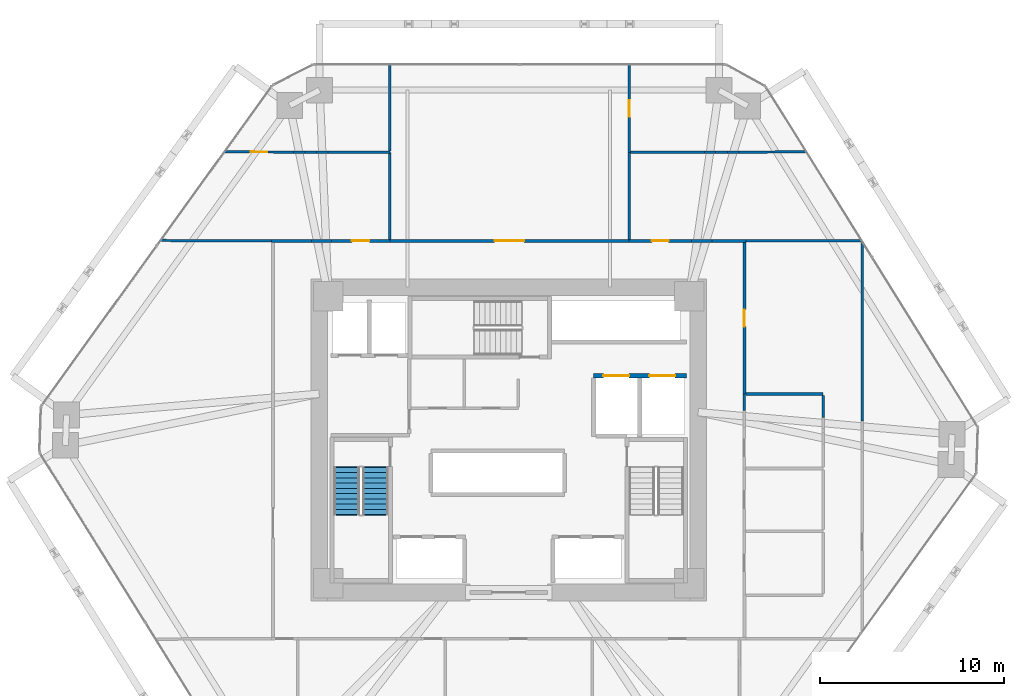
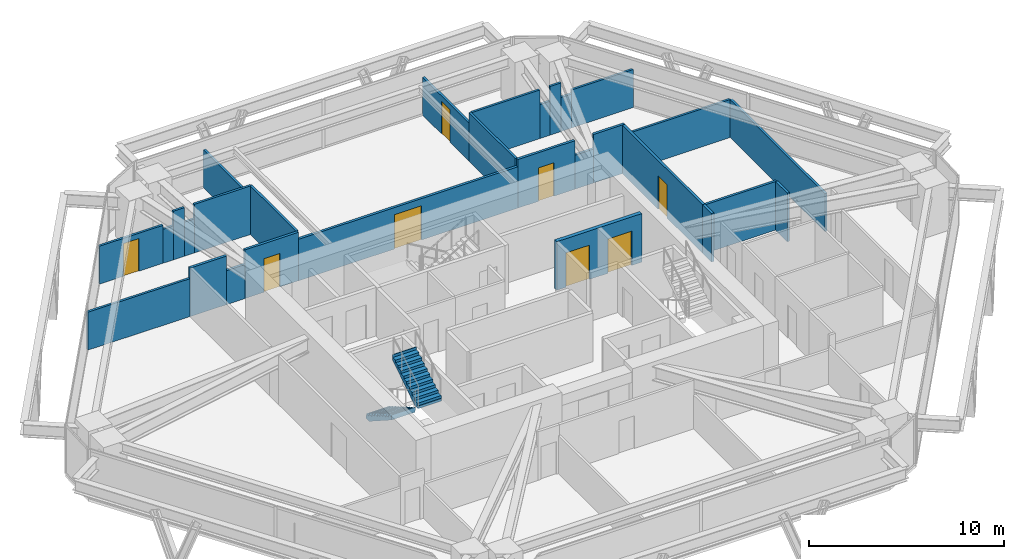
# One storey, part 13 of 15: 29 walls, 8 doors, 2 stair flights, 8 openings, 1 element without a shape of its own.
"""IFC4 building model written with IfcOpenShell, lengths in metres."""

from ifc_helpers import new_model, si_unit, direction, frame, frame_2d, origin, place, context, subcontext, project, spatial, polyline, rectangle, outline, extrude, source, transform, mapped, material, layer, layer_set, type_object, type_shapes, element, fill, aggregate, save


model = new_model("IFC4")

# Units and contexts
model_context = context("Model", 3, precision=1e-05, world=origin(), true_north=direction((0.0, 1.0)))
body_context = subcontext(model_context, "Body", "Model", "MODEL_VIEW")
ifc_project = project(units=[si_unit("LENGTHUNIT", "METRE"), si_unit("AREAUNIT", "SQUARE_METRE"), si_unit("VOLUMEUNIT", "CUBIC_METRE"), si_unit("PLANEANGLEUNIT", "RADIAN"), si_unit("MASSUNIT", "GRAM", prefix="KILO")], contexts=[model_context])

# Site, building, storey
site_placement = place(None, origin())
site = spatial("IfcSite", under=ifc_project, at=site_placement, CompositionType="ELEMENT")
building_placement = place(site_placement, origin())
building = spatial("IfcBuilding", under=site, at=building_placement, Name="Durnholm Broadcast Tower", CompositionType="ELEMENT")
storey_placement = place(building_placement, frame((0.0, 0.0, 62.10009765625)))
storey = spatial("IfcBuildingStorey", under=building, at=storey_placement, Name="L15", CompositionType="ELEMENT", Elevation=62.10009765625)

# Wall, opening, door
ifc_material_1 = material(Name="Gypsum Metal Stud Partition", Category="concrete")
ifc_layer_1 = layer(ifc_material_1, 0.135009765625)
ifc_layer_set_1 = layer_set([ifc_layer_1], Name="Gypsum Metal Stud Partition")
wall_type_1 = type_object("IfcWallType", Name="WALL-PART-135", PredefinedType="PARTITIONING", material=ifc_layer_set_1)
wall_1_placement = place(storey_placement, frame((-15.4501953125, 15.6484375, 0.0), z_axis=(0.0, 0.0, 1.0), x_axis=(0.999996606967, -0.002605005814, 0.0)))
wall_1 = element("IfcWall", 1, at=wall_1_placement, inside=storey, type_object=wall_type_1, Name="L15 room dividing partition 6.7", PredefinedType="PARTITIONING", context=body_context, shape_type="SweptSolid", body=[
    extrude(rectangle(XDim=3.748779296875, YDim=0.135009765625, at=frame_2d((1.87451171875, 0.0))), origin(), (0.0, 0.0, 1.0), 2.3798828125),
])
opening_1_placement = place(wall_1_placement, frame((1.424560546875, 0.0, 0.0)))
opening_1 = element("IfcOpeningElement", 2, at=opening_1_placement, cuts=wall_1, Name="Opening DW-90L", PredefinedType="OPENING", context=body_context, shape_type="SweptSolid", body=[
    extrude(rectangle(XDim=0.89990234375, YDim=2.050048828125, at=frame_2d((0.449951171875, 1.02490234375))), frame((0.0, 0.07763671875, 0.0), z_axis=(0.0, -1.0, 0.0), x_axis=(1.0, 0.0, 0.0)), (0.0, 0.0, 1.0), 0.155029296875),
])
ifc_material_2 = material(Name="Laminate Restroom Door", Category="steel")
ifc_layer_2 = layer(ifc_material_2, 0.050048828125)
ifc_layer_set_2 = layer_set([ifc_layer_2], Name="Laminate Restroom Door")
door_type_1 = type_object("IfcDoorType", Name="DOOR-WC-900L", OperationType="NOTDEFINED", PredefinedType="DOOR", material=ifc_layer_set_2)
shared_shape_1 = source(origin(), body_context, "Body", "SweptSolid", [
    extrude(rectangle(XDim=0.89990234375, YDim=2.050048828125, at=frame_2d((0.449951171875, 1.02490234375))), frame((0.0, 0.02490234375, 0.0), z_axis=(0.0, -1.0, 0.0), x_axis=(1.0, 0.0, 0.0)), (0.0, 0.0, 1.0), 0.050048828125),
])
type_shapes(door_type_1, [shared_shape_1])
door_1_placement = place(opening_1_placement, origin())
door_1 = element("IfcDoor", 3, at=door_1_placement, inside=storey, type_object=door_type_1, Name="L15 Open Plan Broadcast Workspace 3 connecting door", OperationType="SINGLE_SWING_LEFT", OverallHeight=2.050048828125, OverallWidth=0.89990234375, PredefinedType="DOOR", context=body_context, shape_type="MappedRepresentation", body=[
    mapped(shared_shape_1, transform((0.0, 0.0, 0.0), x_axis=(1.0, 0.0, 0.0), y_axis=(0.0, 1.0, 0.0), z_axis=(0.0, 0.0, 1.0), scale=1.0)),
])
fill(opening_1, door_1)

# Walls
wall_2_placement = place(storey_placement, frame((-11.084716796875, 15.636962890625, 0.0), z_axis=(0.0, 0.0, 1.0), x_axis=(0.999997419321, -0.002271860854, 0.0)))
element("IfcWall", 4, at=wall_2_placement, inside=storey, type_object=wall_type_1, Name="L15 room dividing partition 6.7", PredefinedType="PARTITIONING", context=body_context, shape_type="SweptSolid", body=[
    extrude(rectangle(XDim=0.644775390625, YDim=0.135009765625, at=frame_2d((0.322265625, 0.0))), origin(), (0.0, 0.0, 1.0), 3.044921875),
])
wall_3_placement = place(storey_placement, frame((-9.83544921875, 15.6337890625, 0.0), z_axis=(0.0, 0.0, 1.0), x_axis=(0.999996610156, -0.002603781135, 0.0)))
element("IfcWall", 5, at=wall_3_placement, inside=storey, type_object=wall_type_1, Name="L15 room dividing partition 6.7", PredefinedType="PARTITIONING", context=body_context, shape_type="SweptSolid", body=[
    extrude(rectangle(XDim=3.37548828125, YDim=0.135009765625, at=frame_2d((1.687744140625, 0.0))), origin(), (0.0, 0.0, 1.0), 3.044921875),
])
wall_4_placement = place(storey_placement, frame((-11.701416015625, 15.638671875, 0.0), z_axis=(0.0, 0.0, 1.0), x_axis=(0.999996160304, -0.00277116909, 0.0)))
element("IfcWall", 6, at=wall_4_placement, inside=storey, type_object=wall_type_1, Name="L15 room dividing partition 6.7", PredefinedType="PARTITIONING", context=body_context, shape_type="SweptSolid", body=[
    extrude(rectangle(XDim=0.61669921875, YDim=0.135009765625, at=frame_2d((0.308349609375, 0.0))), origin(), (0.0, 0.0, 1.0), 2.130126953125),
])
wall_5_placement = place(storey_placement, frame((-10.43994140625, 15.635498046875, 0.0), z_axis=(0.0, 0.0, 1.0), x_axis=(0.999996003662, -0.002827129251, 0.0)))
element("IfcWall", 7, at=wall_5_placement, inside=storey, type_object=wall_type_1, Name="L15 room dividing partition 6.7", PredefinedType="PARTITIONING", context=body_context, shape_type="SweptSolid", body=[
    extrude(rectangle(XDim=0.6044921875, YDim=0.135009765625, at=frame_2d((0.30224609375, 0.0))), origin(), (0.0, 0.0, 1.0), 2.130126953125),
])
wall_6_placement = place(storey_placement, frame((-6.4599609375, 15.625, 0.0), z_axis=(0.0, 0.0, 1.0), x_axis=(0.0, -1.0, 0.0)))
element("IfcWall", 8, at=wall_6_placement, inside=storey, type_object=wall_type_1, Name="L15 room dividing partition 6.8", PredefinedType="PARTITIONING", context=body_context, shape_type="SweptSolid", body=[
    extrude(rectangle(XDim=4.736083984375, YDim=0.135009765625, at=frame_2d((2.3681640625, 0.0))), origin(), (0.0, 0.0, 1.0), 3.044921875),
])
wall_7_placement = place(storey_placement, frame((-12.889892578125, 10.810302734375, 0.0), z_axis=(0.0, 0.0, 1.0), x_axis=(-0.999992607823, 0.003845035728, 0.0)))
element("IfcWall", 9, at=wall_7_placement, inside=storey, type_object=wall_type_1, Name="L15 room dividing partition 6.16", PredefinedType="PARTITIONING", context=body_context, shape_type="SweptSolid", body=[
    extrude(rectangle(XDim=6.031982421875, YDim=0.135009765625, at=frame_2d((3.01611328125, 0.0))), origin(), (0.0, 0.0, 1.0), 2.3798828125),
])
wall_8_placement = place(storey_placement, frame((-6.4599609375, 20.39990234375, 0.0), z_axis=(0.0, 0.0, 1.0), x_axis=(0.0, -1.0, 0.0)))
element("IfcWall", 10, at=wall_8_placement, inside=storey, type_object=wall_type_1, Name="L15 room dividing partition 7.8", PredefinedType="PARTITIONING", context=body_context, shape_type="SweptSolid", body=[
    extrude(rectangle(XDim=4.703369140625, YDim=0.135009765625, at=frame_2d((2.3515625, 0.0))), origin(), (0.0, 0.0, 1.0), 2.3798828125),
])
wall_9_placement = place(storey_placement, frame((6.5400390625, 15.625, 0.0), z_axis=(0.0, 0.0, 1.0), x_axis=(0.0, -1.0, 0.0)))
element("IfcWall", 11, at=wall_9_placement, inside=storey, type_object=wall_type_1, Name="L15 room dividing partition 8.9", PredefinedType="PARTITIONING", context=body_context, shape_type="SweptSolid", body=[
    extrude(rectangle(XDim=4.736083984375, YDim=0.135009765625, at=frame_2d((2.3681640625, 0.0))), origin(), (0.0, 0.0, 1.0), 3.044921875),
])

# Wall, opening, door
wall_10_placement = place(storey_placement, frame((6.5400390625, 20.39990234375, 0.0), z_axis=(0.0, 0.0, 1.0), x_axis=(0.0, -1.0, 0.0)))
wall_10 = element("IfcWall", 12, at=wall_10_placement, inside=storey, type_object=wall_type_1, Name="L15 room dividing partition 8.10", PredefinedType="PARTITIONING", context=body_context, shape_type="SweptSolid", body=[
    extrude(rectangle(XDim=4.77490234375, YDim=0.135009765625, at=frame_2d((2.387451171875, 0.0))), origin(), (0.0, 0.0, 1.0), 2.3798828125),
])
opening_2_placement = place(wall_10_placement, frame((1.9375, 0.0, 0.0)))
opening_2 = element("IfcOpeningElement", 13, at=opening_2_placement, cuts=wall_10, Name="Opening DW-90L", PredefinedType="OPENING", context=body_context, shape_type="SweptSolid", body=[
    extrude(rectangle(XDim=0.89990234375, YDim=2.050048828125, at=frame_2d((0.449951171875, 1.02490234375))), frame((0.0, 0.07763671875, 0.0), z_axis=(0.0, -1.0, 0.0), x_axis=(1.0, 0.0, 0.0)), (0.0, 0.0, 1.0), 0.155029296875),
])
door_2_placement = place(opening_2_placement, origin())
door_2 = element("IfcDoor", 14, at=door_2_placement, inside=storey, type_object=door_type_1, Name="L15 Broadcast Kitchen connecting door", OperationType="SINGLE_SWING_LEFT", OverallHeight=2.050048828125, OverallWidth=0.89990234375, PredefinedType="DOOR", context=body_context, shape_type="MappedRepresentation", body=[
    mapped(shared_shape_1, transform((0.0, 0.0, 0.0), x_axis=(1.0, 0.0, 0.0), y_axis=(0.0, 1.0, 0.0), z_axis=(0.0, 0.0, 1.0), scale=1.0)),
])
fill(opening_2, door_2)

# Walls
wall_11_placement = place(storey_placement, frame((6.611572265625, 15.625244140625, 0.0), z_axis=(0.0, 0.0, 1.0), x_axis=(0.999997614931, 0.002184063225, 0.0)))
element("IfcWall", 15, at=wall_11_placement, inside=storey, type_object=wall_type_1, Name="L15 room dividing partition 9.10", PredefinedType="PARTITIONING", context=body_context, shape_type="SweptSolid", body=[
    extrude(rectangle(XDim=4.024169921875, YDim=0.135009765625, at=frame_2d((2.01220703125, 0.0))), origin(), (0.0, 0.0, 1.0), 3.044921875),
])
wall_12_placement = place(storey_placement, frame((11.246337890625, 15.635498046875, 0.0), z_axis=(0.0, 0.0, 1.0), x_axis=(0.999998237348, 0.001877578365, 0.0)))
element("IfcWall", 16, at=wall_12_placement, inside=storey, type_object=wall_type_1, Name="L15 room dividing partition 9.10", PredefinedType="PARTITIONING", context=body_context, shape_type="SweptSolid", body=[
    extrude(rectangle(XDim=0.650146484375, YDim=0.135009765625, at=frame_2d((0.3251953125, 0.0))), origin(), (0.0, 0.0, 1.0), 3.044921875),
])
wall_13_placement = place(storey_placement, frame((12.529052734375, 15.63818359375, 0.0), z_axis=(0.0, 0.0, 1.0), x_axis=(0.999997715323, 0.002137603667, 0.0)))
element("IfcWall", 17, at=wall_13_placement, inside=storey, type_object=wall_type_1, Name="L15 room dividing partition 9.10", PredefinedType="PARTITIONING", context=body_context, shape_type="SweptSolid", body=[
    extrude(rectangle(XDim=3.65478515625, YDim=0.135009765625, at=frame_2d((1.827392578125, 0.0))), origin(), (0.0, 0.0, 1.0), 2.3798828125),
])
wall_14_placement = place(storey_placement, frame((10.6357421875, 15.634033203125, 0.0), z_axis=(0.0, 0.0, 1.0), x_axis=(0.999997122315, 0.00239903348, 0.0)))
element("IfcWall", 18, at=wall_14_placement, inside=storey, type_object=wall_type_1, Name="L15 room dividing partition 9.10", PredefinedType="PARTITIONING", context=body_context, shape_type="SweptSolid", body=[
    extrude(rectangle(XDim=0.610595703125, YDim=0.135009765625, at=frame_2d((0.30517578125, 0.0))), origin(), (0.0, 0.0, 1.0), 2.130126953125),
])
wall_15_placement = place(storey_placement, frame((11.896484375, 15.63671875, 0.0), z_axis=(0.0, 0.0, 1.0), x_axis=(0.999997318759, 0.002315702012, 0.0)))
element("IfcWall", 19, at=wall_15_placement, inside=storey, type_object=wall_type_1, Name="L15 room dividing partition 9.10", PredefinedType="PARTITIONING", context=body_context, shape_type="SweptSolid", body=[
    extrude(rectangle(XDim=0.632568359375, YDim=0.135009765625, at=frame_2d((0.31640625, 0.0))), origin(), (0.0, 0.0, 1.0), 2.130126953125),
])
wall_16_placement = place(storey_placement, frame((19.18212890625, 10.831298828125, 0.0), z_axis=(0.0, 0.0, 1.0), x_axis=(-0.999994432845, -0.003336806783, 0.0)))
element("IfcWall", 20, at=wall_16_placement, inside=storey, type_object=wall_type_1, Name="L15 room dividing partition 9.17", PredefinedType="PARTITIONING", context=body_context, shape_type="SweptSolid", body=[
    extrude(rectangle(XDim=6.292236328125, YDim=0.135009765625, at=frame_2d((3.14599609375, 0.0))), origin(), (0.0, 0.0, 1.0), 2.3798828125),
])
wall_17_placement = place(storey_placement, frame((19.2109375, 10.784912109375, 0.0), z_axis=(0.0, 0.0, 1.0), x_axis=(-7.5063804e-05, -0.999999997183, 0.0)))
element("IfcWall", 21, at=wall_17_placement, inside=storey, type_object=wall_type_1, Name="L15 room dividing partition 17.18", PredefinedType="PARTITIONING", context=body_context, shape_type="SweptSolid", body=[
    extrude(rectangle(XDim=9.75732421875, YDim=0.135009765625, at=frame_2d((4.878662109375, 0.0))), origin(), (0.0, 0.0, 1.0), 2.3798828125),
])

# Wall, opening, door
ifc_material_3 = material(Name="Acoustic Gypsum Stud Partition", Category="concrete")
ifc_layer_3 = layer(ifc_material_3, 0.14990234375)
ifc_layer_set_3 = layer_set([ifc_layer_3], Name="Acoustic Gypsum Stud Partition")
wall_type_2 = type_object("IfcWallType", Name="WALL-PART-150", PredefinedType="PARTITIONING", material=ifc_layer_set_3)
wall_18_placement = place(storey_placement, frame((-6.4599609375, 10.81005859375, 0.0), z_axis=(0.0, 0.0, 1.0), x_axis=(-1.0, 0.0, 0.0)))
wall_18 = element("IfcWall", 22, at=wall_18_placement, inside=storey, type_object=wall_type_2, Name="L15 Weather Seminar Meeting Room corridor partition", PredefinedType="PARTITIONING", context=body_context, shape_type="SweptSolid", body=[
    extrude(rectangle(XDim=3.16748046875, YDim=0.14990234375, at=frame_2d((1.583740234375, 0.0))), origin(), (0.0, 0.0, 1.0), 3.044921875),
])
opening_3_placement = place(wall_18_placement, frame((1.108642578125, 0.0, 0.0)))
opening_3 = element("IfcOpeningElement", 23, at=opening_3_placement, cuts=wall_18, Name="Opening DR-95L", PredefinedType="OPENING", context=body_context, shape_type="SweptSolid", body=[
    extrude(rectangle(XDim=0.949951171875, YDim=2.10009765625, at=frame_2d((0.47509765625, 1.050048828125))), frame((0.0, 0.0849609375, 0.0), z_axis=(0.0, -1.0, 0.0), x_axis=(1.0, 0.0, 0.0)), (0.0, 0.0, 1.0), 0.169921875),
])
ifc_material_4 = material(Name="Acoustic Oak Veneer Timber Door", Category="wood")
ifc_layer_4 = layer(ifc_material_4, 0.050048828125)
ifc_layer_set_4 = layer_set([ifc_layer_4], Name="Acoustic Oak Veneer Timber Door")
door_type_2 = type_object("IfcDoorType", Name="DOOR-RM-950L", OperationType="NOTDEFINED", PredefinedType="DOOR", material=ifc_layer_set_4)
shared_shape_2 = source(origin(), body_context, "Body", "SweptSolid", [
    extrude(rectangle(XDim=0.949951171875, YDim=2.10009765625, at=frame_2d((0.47509765625, 1.050048828125))), frame((0.0, 0.02490234375, 0.0), z_axis=(0.0, -1.0, 0.0), x_axis=(1.0, 0.0, 0.0)), (0.0, 0.0, 1.0), 0.050048828125),
])
type_shapes(door_type_2, [shared_shape_2])
door_3_placement = place(opening_3_placement, origin())
door_3 = element("IfcDoor", 24, at=door_3_placement, inside=storey, type_object=door_type_2, Name="L15 Weather Seminar Meeting Room entrance door", OperationType="SINGLE_SWING_LEFT", OverallHeight=2.10009765625, OverallWidth=0.949951171875, PredefinedType="DOOR", context=body_context, shape_type="MappedRepresentation", body=[
    mapped(shared_shape_2, transform((0.0, 0.0, 0.0), x_axis=(1.0, 0.0, 0.0), y_axis=(0.0, 1.0, 0.0), z_axis=(0.0, 0.0, 1.0), scale=1.0)),
])
fill(opening_3, door_3)

# Walls
wall_19_placement = place(storey_placement, frame((-10.719970703125, 10.81005859375, 0.0), z_axis=(0.0, 0.0, 1.0), x_axis=(-1.0, 0.0, 0.0)))
element("IfcWall", 25, at=wall_19_placement, inside=storey, type_object=wall_type_2, Name="L15 Weather Seminar Meeting Room corridor partition", PredefinedType="PARTITIONING", context=body_context, shape_type="SweptSolid", body=[
    extrude(rectangle(XDim=2.169921875, YDim=0.14990234375, at=frame_2d((1.0849609375, 0.0))), origin(), (0.0, 0.0, 1.0), 3.044921875),
])
wall_20_placement = place(storey_placement, frame((-9.62744140625, 10.81005859375, 0.0), z_axis=(0.0, 0.0, 1.0), x_axis=(-1.0, 0.0, 0.0)))
element("IfcWall", 26, at=wall_20_placement, inside=storey, type_object=wall_type_2, Name="L15 Weather Seminar Meeting Room corridor partition", PredefinedType="PARTITIONING", context=body_context, shape_type="SweptSolid", body=[
    extrude(rectangle(XDim=1.092529296875, YDim=0.14990234375, at=frame_2d((0.54638671875, 0.0))), origin(), (0.0, 0.0, 1.0), 2.130126953125),
])

# Wall, opening, door
wall_21_placement = place(storey_placement, frame((6.5400390625, 10.81005859375, 0.0), z_axis=(0.0, 0.0, 1.0), x_axis=(-1.0, 0.0, 0.0)))
wall_21 = element("IfcWall", 27, at=wall_21_placement, inside=storey, type_object=wall_type_2, Name="L15 Documentary Screening Hall corridor partition", PredefinedType="PARTITIONING", context=body_context, shape_type="SweptSolid", body=[
    extrude(rectangle(XDim=13.0, YDim=0.14990234375, at=frame_2d((6.5, 0.0))), origin(), (0.0, 0.0, 1.0), 2.597412109375),
])
opening_4_placement = place(wall_21_placement, frame((5.699951171875, 0.0, 0.0)))
opening_4 = element("IfcOpeningElement", 28, at=opening_4_placement, cuts=wall_21, Name="Opening DST-160", PredefinedType="OPENING", context=body_context, shape_type="SweptSolid", body=[
    extrude(rectangle(XDim=1.60009765625, YDim=2.14990234375, at=frame_2d((0.800048828125, 1.074951171875))), frame((0.0, 0.0849609375, 0.0), z_axis=(0.0, -1.0, 0.0), x_axis=(1.0, 0.0, 0.0)), (0.0, 0.0, 1.0), 0.169921875),
])
ifc_material_5 = material(Name="Acoustic Broadcast Studio Sound-Lock Door", Category="steel")
ifc_layer_5 = layer(ifc_material_5, 0.050048828125)
ifc_layer_set_5 = layer_set([ifc_layer_5], Name="Acoustic Broadcast Studio Sound-Lock Door")
door_type_3 = type_object("IfcDoorType", Name="DOOR-STU-1600", OperationType="DOUBLE_DOOR_SINGLE_SWING", PredefinedType="DOOR", material=ifc_layer_set_5)
shared_shape_3 = source(origin(), body_context, "Body", "SweptSolid", [
    extrude(rectangle(XDim=1.60009765625, YDim=2.14990234375, at=frame_2d((0.800048828125, 1.074951171875))), frame((0.0, 0.02490234375, 0.0), z_axis=(0.0, -1.0, 0.0), x_axis=(1.0, 0.0, 0.0)), (0.0, 0.0, 1.0), 0.050048828125),
])
type_shapes(door_type_3, [shared_shape_3])
door_4_placement = place(opening_4_placement, origin())
door_4 = element("IfcDoor", 29, at=door_4_placement, inside=storey, type_object=door_type_3, Name="L15 Documentary Screening Hall entrance door", OperationType="DOUBLE_DOOR_SINGLE_SWING", OverallHeight=2.14990234375, OverallWidth=1.60009765625, PredefinedType="DOOR", context=body_context, shape_type="MappedRepresentation", body=[
    mapped(shared_shape_3, transform((0.0, 0.0, 0.0), x_axis=(1.0, 0.0, 0.0), y_axis=(0.0, 1.0, 0.0), z_axis=(0.0, 0.0, 1.0), scale=1.0)),
])
fill(opening_4, door_4)

# Wall
wall_22_placement = place(storey_placement, frame((12.889892578125, 10.81005859375, 0.0), z_axis=(0.0, 0.0, 1.0), x_axis=(-1.0, 0.0, 0.0)))
element("IfcWall", 30, at=wall_22_placement, inside=storey, type_object=wall_type_2, Name="L15 Sound Review Lounge corridor partition", PredefinedType="PARTITIONING", context=body_context, shape_type="SweptSolid", body=[
    extrude(rectangle(XDim=1.847412109375, YDim=0.14990234375, at=frame_2d((0.923828125, 0.0))), origin(), (0.0, 0.0, 1.0), 3.044921875),
])

# Wall, opening, door
wall_23_placement = place(storey_placement, frame((9.93310546875, 10.81005859375, 0.0), z_axis=(0.0, 0.0, 1.0), x_axis=(-1.0, 0.0, 0.0)))
wall_23 = element("IfcWall", 31, at=wall_23_placement, inside=storey, type_object=wall_type_2, Name="L15 Sound Review Lounge corridor partition", PredefinedType="PARTITIONING", context=body_context, shape_type="SweptSolid", body=[
    extrude(rectangle(XDim=3.39306640625, YDim=0.14990234375, at=frame_2d((1.696533203125, 0.0))), origin(), (0.0, 0.0, 1.0), 3.044921875),
])
opening_5_placement = place(wall_23_placement, frame((1.236572265625, 0.0, 0.0)))
opening_5 = element("IfcOpeningElement", 32, at=opening_5_placement, cuts=wall_23, Name="Opening DR-92L", PredefinedType="OPENING", context=body_context, shape_type="SweptSolid", body=[
    extrude(rectangle(XDim=0.919921875, YDim=2.10009765625, at=frame_2d((0.4599609375, 1.050048828125))), frame((0.0, 0.0849609375, 0.0), z_axis=(0.0, -1.0, 0.0), x_axis=(1.0, 0.0, 0.0)), (0.0, 0.0, 1.0), 0.169921875),
])
ifc_material_6 = material(Name="Oak Veneer Office Door", Category="wood")
ifc_layer_6 = layer(ifc_material_6, 0.050048828125)
ifc_layer_set_6 = layer_set([ifc_layer_6], Name="Oak Veneer Office Door")
door_type_4 = type_object("IfcDoorType", Name="DOOR-RM-920L", OperationType="NOTDEFINED", PredefinedType="DOOR", material=ifc_layer_set_6)
shared_shape_4 = source(origin(), body_context, "Body", "SweptSolid", [
    extrude(rectangle(XDim=0.919921875, YDim=2.10009765625, at=frame_2d((0.4599609375, 1.050048828125))), frame((0.0, 0.02490234375, 0.0), z_axis=(0.0, -1.0, 0.0), x_axis=(1.0, 0.0, 0.0)), (0.0, 0.0, 1.0), 0.050048828125),
])
type_shapes(door_type_4, [shared_shape_4])
door_5_placement = place(opening_5_placement, origin())
door_5 = element("IfcDoor", 33, at=door_5_placement, inside=storey, type_object=door_type_4, Name="L15 Sound Review Lounge entrance door", OperationType="SINGLE_SWING_LEFT", OverallHeight=2.10009765625, OverallWidth=0.919921875, PredefinedType="DOOR", context=body_context, shape_type="MappedRepresentation", body=[
    mapped(shared_shape_4, transform((0.0, 0.0, 0.0), x_axis=(1.0, 0.0, 0.0), y_axis=(0.0, 1.0, 0.0), z_axis=(0.0, 0.0, 1.0), scale=1.0)),
])
fill(opening_5, door_5)

# Wall
wall_24_placement = place(storey_placement, frame((11.04248046875, 10.81005859375, 0.0), z_axis=(0.0, 0.0, 1.0), x_axis=(-1.0, 0.0, 0.0)))
element("IfcWall", 34, at=wall_24_placement, inside=storey, type_object=wall_type_2, Name="L15 Sound Review Lounge corridor partition", PredefinedType="PARTITIONING", context=body_context, shape_type="SweptSolid", body=[
    extrude(rectangle(XDim=1.109375, YDim=0.14990234375, at=frame_2d((0.5546875, 0.0))), origin(), (0.0, 0.0, 1.0), 2.130126953125),
])

# Wall, opening, door
wall_25_placement = place(storey_placement, frame((12.81005859375, 2.489990234375, 0.0), z_axis=(0.0, 0.0, 1.0), x_axis=(0.0, 1.0, 0.0)))
wall_25 = element("IfcWall", 35, at=wall_25_placement, inside=storey, type_object=wall_type_2, Name="L15 Sound Review Lounge corridor partition", PredefinedType="PARTITIONING", context=body_context, shape_type="SweptSolid", body=[
    extrude(rectangle(XDim=8.240966796875, YDim=0.14990234375, at=frame_2d((4.12060546875, 0.0))), origin(), (0.0, 0.0, 1.0), 3.044921875),
])
opening_6_placement = place(wall_25_placement, frame((3.660400390625, 0.0, 0.0)))
opening_6 = element("IfcOpeningElement", 36, at=opening_6_placement, cuts=wall_25, Name="Opening DR-92R", PredefinedType="OPENING", context=body_context, shape_type="SweptSolid", body=[
    extrude(rectangle(XDim=0.919921875, YDim=2.10009765625, at=frame_2d((0.4599609375, 1.050048828125))), frame((0.0, 0.0849609375, 0.0), z_axis=(0.0, -1.0, 0.0), x_axis=(1.0, 0.0, 0.0)), (0.0, 0.0, 1.0), 0.169921875),
])
ifc_layer_7 = layer(ifc_material_6, 0.050048828125)
ifc_layer_set_7 = layer_set([ifc_layer_7], Name="Oak Veneer Office Door")
door_type_5 = type_object("IfcDoorType", Name="DOOR-RM-920R", OperationType="NOTDEFINED", PredefinedType="DOOR", material=ifc_layer_set_7)
shared_shape_5 = source(origin(), body_context, "Body", "SweptSolid", [
    extrude(rectangle(XDim=0.919921875, YDim=2.10009765625, at=frame_2d((0.4599609375, 1.050048828125))), frame((0.0, 0.02490234375, 0.0), z_axis=(0.0, -1.0, 0.0), x_axis=(1.0, 0.0, 0.0)), (0.0, 0.0, 1.0), 0.050048828125),
])
type_shapes(door_type_5, [shared_shape_5])
door_6_placement = place(opening_6_placement, origin())
door_6 = element("IfcDoor", 37, at=door_6_placement, inside=storey, type_object=door_type_5, Name="L15 Sound Review Lounge entrance door", OperationType="SINGLE_SWING_RIGHT", OverallHeight=2.10009765625, OverallWidth=0.919921875, PredefinedType="DOOR", context=body_context, shape_type="MappedRepresentation", body=[
    mapped(shared_shape_5, transform((0.0, 0.0, 0.0), x_axis=(1.0, 0.0, 0.0), y_axis=(0.0, 1.0, 0.0), z_axis=(0.0, 0.0, 1.0), scale=1.0)),
])
fill(opening_6, door_6)

# Wall, openings, doors
ifc_material_7 = material(Name="Concrete Blockwork C30/37", Category="masonry")
ifc_layer_8 = layer(ifc_material_7, 0.219970703125)
ifc_layer_set_8 = layer_set([ifc_layer_8], Name="Concrete Blockwork C30/37")
wall_type_3 = type_object("IfcWallType", Name="WALL-SHAFT-220", PredefinedType="SOLIDWALL", material=ifc_layer_set_8)
wall_26_placement = place(storey_placement, frame((4.60009765625, 3.47998046875, 0.0), z_axis=(0.0, 0.0, 1.0), x_axis=(1.0, 0.0, 0.0)))
wall_26 = element("IfcWall", 38, at=wall_26_placement, inside=storey, type_object=wall_type_3, Name="L15 freight service lifts north front wall", PredefinedType="SOLIDWALL", context=body_context, shape_type="SweptSolid", body=[
    extrude(rectangle(XDim=5.0498046875, YDim=0.219970703125, at=frame_2d((2.52490234375, 0.0))), origin(), (0.0, 0.0, 1.0), 3.044921875),
])
opening_7_placement = place(wall_26_placement, frame((0.550048828125, 0.0, 0.0)))
opening_7 = element("IfcOpeningElement", 39, at=opening_7_placement, cuts=wall_26, Name="Opening LD-SVL-2", PredefinedType="OPENING", context=body_context, shape_type="SweptSolid", body=[
    extrude(rectangle(XDim=1.39990234375, YDim=2.14990234375, at=frame_2d((0.699951171875, 1.074951171875))), frame((0.0, 0.1201171875, 0.0), z_axis=(0.0, -1.0, 0.0), x_axis=(1.0, 0.0, 0.0)), (0.0, 0.0, 1.0), 0.239990234375),
])
opening_8_placement = place(wall_26_placement, frame((3.050048828125, 0.0, 0.0)))
opening_8 = element("IfcOpeningElement", 40, at=opening_8_placement, cuts=wall_26, Name="Opening LD-SVL-1", PredefinedType="OPENING", context=body_context, shape_type="SweptSolid", body=[
    extrude(rectangle(XDim=1.39990234375, YDim=2.14990234375, at=frame_2d((0.699951171875, 1.074951171875))), frame((0.0, 0.1201171875, 0.0), z_axis=(0.0, -1.0, 0.0), x_axis=(1.0, 0.0, 0.0)), (0.0, 0.0, 1.0), 0.239990234375),
])
ifc_material_8 = material(Name="Freight Elevator Bi-Parting Sliding Landing Door", Category="steel")
ifc_layer_9 = layer(ifc_material_8, 0.050048828125)
ifc_layer_set_9 = layer_set([ifc_layer_9], Name="Freight Elevator Bi-Parting Sliding Landing Door")
door_type_6 = type_object("IfcDoorType", Name="DOOR-LIFT-SVL", OperationType="DOUBLE_DOOR_SLIDING", PredefinedType="DOOR", material=ifc_layer_set_9)
shared_shape_6 = source(origin(), body_context, "Body", "SweptSolid", [
    extrude(rectangle(XDim=1.39990234375, YDim=2.14990234375, at=frame_2d((0.699951171875, 1.074951171875))), frame((0.0, 0.02490234375, 0.0), z_axis=(0.0, -1.0, 0.0), x_axis=(1.0, 0.0, 0.0)), (0.0, 0.0, 1.0), 0.050048828125),
])
type_shapes(door_type_6, [shared_shape_6])
door_7_placement = place(opening_7_placement, origin())
door_7 = element("IfcDoor", 41, at=door_7_placement, inside=storey, type_object=door_type_6, Name="L15 freight service elevator SVL-2 sliding landing door", OperationType="DOUBLE_DOOR_SLIDING", OverallHeight=2.14990234375, OverallWidth=1.39990234375, PredefinedType="DOOR", context=body_context, shape_type="MappedRepresentation", body=[
    mapped(shared_shape_6, transform((0.0, 0.0, 0.0), x_axis=(1.0, 0.0, 0.0), y_axis=(0.0, 1.0, 0.0), z_axis=(0.0, 0.0, 1.0), scale=1.0)),
])
fill(opening_7, door_7)
door_8_placement = place(opening_8_placement, origin())
door_8 = element("IfcDoor", 42, at=door_8_placement, inside=storey, type_object=door_type_6, Name="L15 freight service elevator SVL-1 sliding landing door", OperationType="DOUBLE_DOOR_SLIDING", OverallHeight=2.14990234375, OverallWidth=1.39990234375, PredefinedType="DOOR", context=body_context, shape_type="MappedRepresentation", body=[
    mapped(shared_shape_6, transform((0.0, 0.0, 0.0), x_axis=(1.0, 0.0, 0.0), y_axis=(0.0, 1.0, 0.0), z_axis=(0.0, 0.0, 1.0), scale=1.0)),
])
fill(opening_8, door_8)

# Walls
ifc_material_9 = material(Name="Moisture-Resistant Tile Partition", Category="concrete")
ifc_layer_10 = layer(ifc_material_9, 0.139892578125)
ifc_layer_set_10 = layer_set([ifc_layer_10], Name="Moisture-Resistant Tile Partition")
wall_type_4 = type_object("IfcWallType", Name="WALL-WC-140", PredefinedType="PARTITIONING", material=ifc_layer_set_10)
wall_27_placement = place(storey_placement, frame((12.81005859375, 1.584716796875, 0.0), z_axis=(0.0, 0.0, 1.0), x_axis=(0.0, 1.0, 0.0)))
element("IfcWall", 43, at=wall_27_placement, inside=storey, type_object=wall_type_4, Name="L15 Accessible Restroom corridor partition", PredefinedType="PARTITIONING", context=body_context, shape_type="SweptSolid", body=[
    extrude(rectangle(XDim=0.9052734375, YDim=0.139892578125, at=frame_2d((0.45263671875, 0.0))), origin(), (0.0, 0.0, 1.0), 3.044921875),
])
wall_28_placement = place(storey_placement, frame((12.888916015625, 2.489990234375, 0.0), z_axis=(0.0, 0.0, 1.0), x_axis=(1.0, 0.0, 0.0)))
element("IfcWall", 44, at=wall_28_placement, inside=storey, type_object=wall_type_4, Name="L15 room dividing partition 5.17", PredefinedType="PARTITIONING", context=body_context, shape_type="SweptSolid", body=[
    extrude(rectangle(XDim=4.201171875, YDim=0.139892578125, at=frame_2d((2.1005859375, 0.0))), origin(), (0.0, 0.0, 1.0), 3.044921875),
])
wall_29_placement = place(storey_placement, frame((17.090087890625, 2.416015625, 0.0), z_axis=(0.0, 0.0, 1.0), x_axis=(0.0, -1.0, 0.0)))
element("IfcWall", 45, at=wall_29_placement, inside=storey, type_object=wall_type_4, Name="L15 room dividing partition 5.17", PredefinedType="PARTITIONING", context=body_context, shape_type="SweptSolid", body=[
    extrude(rectangle(XDim=1.203857421875, YDim=0.139892578125, at=frame_2d((0.60205078125, 0.0))), origin(), (0.0, 0.0, 1.0), 3.044921875),
])

# Stair, stair flights
ifc_material_10 = material(Name="Concrete C50/60", Category="concrete")
stair_type = type_object("IfcStairType", Name="STAIR-DL-20R1650", PredefinedType="HALF_TURN_STAIR", material=ifc_material_10)
stair_placement = place(storey_placement, origin())
stair = element("IfcStair", 46, at=stair_placement, inside=storey, type_object=stair_type, Name="L15 ST-1", PredefinedType="HALF_TURN_STAIR")
stair_flight_type = type_object("IfcStairFlightType", Name="FLIGHT-DL-20R1650", PredefinedType="STRAIGHT", material=ifc_material_10)
stair_flight_1_placement = place(storey_placement, frame((-8.800048828125, -1.5, 0.0), z_axis=(0.0, 0.0, 1.0), x_axis=(0.0, -1.0, 0.0)))
stair_flight_1 = element("IfcStairFlight", 47, at=stair_flight_1_placement, type_object=stair_flight_type, Name="ST-1 flight 1", NumberOfRisers=10, NumberOfTreads=9, PredefinedType="STRAIGHT", RiserHeight=0.165, TreadLength=0.285, context=body_context, shape_type="SweptSolid", body=[
    extrude(outline(polyline([(-0.0400390625, -0.14990234375), (-0.0400390625, 0.0), (0.0, 0.0), (0.0, 0.1650390625), (0.284912109375, 0.1650390625), (0.284912109375, 0.330078125), (0.570068359375, 0.330078125), (0.570068359375, 0.4951171875), (0.85498046875, 0.4951171875), (0.85498046875, 0.659912109375), (1.139892578125, 0.659912109375), (1.139892578125, 0.824951171875), (1.425048828125, 0.824951171875), (1.425048828125, 0.989990234375), (1.7099609375, 0.989990234375), (1.7099609375, 1.155029296875), (1.9951171875, 1.155029296875), (1.9951171875, 1.320068359375), (2.280029296875, 1.320068359375), (2.280029296875, 1.485107421875), (2.56494140625, 1.485107421875), (2.56494140625, 1.64990234375), (2.60498046875, 1.64990234375), (2.60498046875, 1.5), (2.56494140625, 1.311767578125), (0.299072265625, -0.14990234375), (-0.0400390625, -0.14990234375)])), frame((0.0, 0.699951171875, 0.0), z_axis=(0.0, -1.0, 0.0), x_axis=(1.0, 0.0, 0.0)), (0.0, 0.0, 1.0), 1.39990234375),
])
stair_flight_2_placement = place(storey_placement, frame((-7.239990234375, -4.06494140625, 1.64990234375), z_axis=(0.0, 0.0, 1.0), x_axis=(0.0, 1.0, 0.0)))
stair_flight_2 = element("IfcStairFlight", 48, at=stair_flight_2_placement, type_object=stair_flight_type, Name="ST-1 flight 2", NumberOfRisers=10, NumberOfTreads=9, PredefinedType="STRAIGHT", RiserHeight=0.165, TreadLength=0.285, context=body_context, shape_type="SweptSolid", body=[
    extrude(outline(polyline([(-0.0400390625, -0.14990234375), (-0.0400390625, 0.0), (0.0, 0.0), (0.0, 0.1650390625), (0.284912109375, 0.1650390625), (0.284912109375, 0.330078125), (0.570068359375, 0.330078125), (0.570068359375, 0.4951171875), (0.85498046875, 0.4951171875), (0.85498046875, 0.659912109375), (1.139892578125, 0.659912109375), (1.139892578125, 0.824951171875), (1.425048828125, 0.824951171875), (1.425048828125, 0.989990234375), (1.7099609375, 0.989990234375), (1.7099609375, 1.155029296875), (1.9951171875, 1.155029296875), (1.9951171875, 1.320068359375), (2.280029296875, 1.320068359375), (2.280029296875, 1.485107421875), (2.56494140625, 1.485107421875), (2.56494140625, 1.64990234375), (2.60498046875, 1.64990234375), (2.60498046875, 1.5), (2.56494140625, 1.311767578125), (0.299072265625, -0.14990234375), (-0.0400390625, -0.14990234375)])), frame((0.0, 0.699951171875, 0.0), z_axis=(0.0, -1.0, 0.0), x_axis=(1.0, 0.0, 0.0)), (0.0, 0.0, 1.0), 1.39990234375),
])
aggregate(stair, [stair_flight_1, stair_flight_2])

save(model, "model.ifc")
